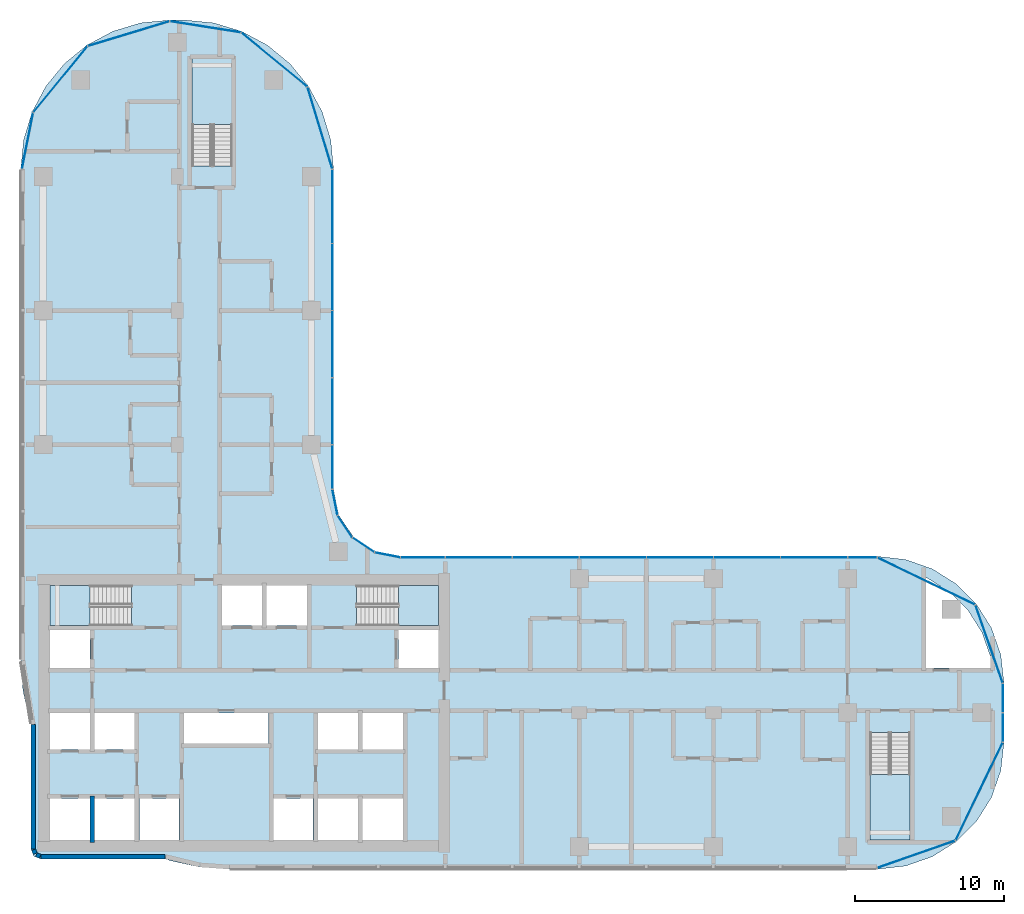
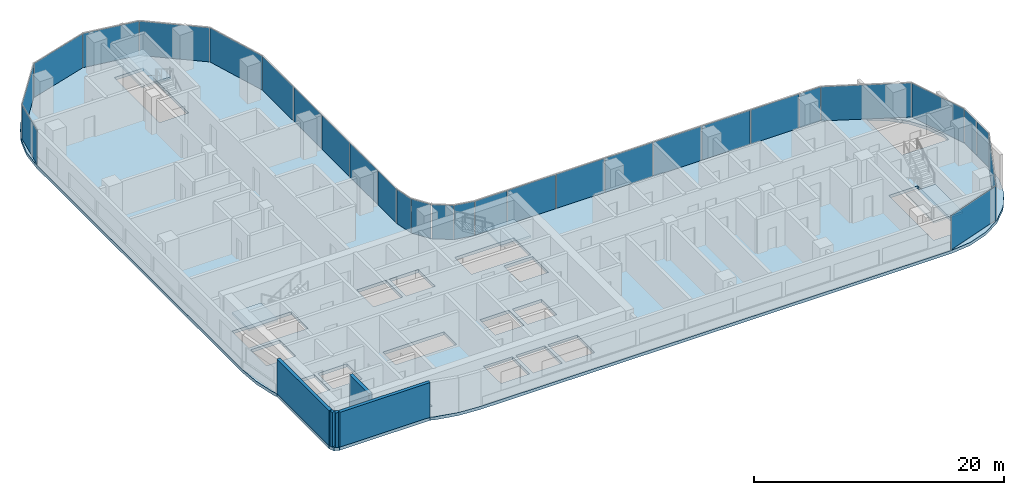
# One storey, part 8 of 22: 29 plates, 5 slabs, 5 walls, 11 elements without a shape of their own.
"""IFC4 building model written with IfcOpenShell, lengths in metres."""

from ifc_helpers import new_model, si_unit, direction, frame, frame_2d, origin, origin_2d, place, context, subcontext, project, spatial, polyline, rectangle, outline, extrude, material, layer, layer_set, type_object, element, aggregate, save


model = new_model("IFC4")

# Units and contexts
model_context = context("Model", 3, precision=1e-05, world=origin(), true_north=direction((0.0, 1.0)))
body_context = subcontext(model_context, "Body", "Model", "MODEL_VIEW")
ifc_project = project(units=[si_unit("LENGTHUNIT", "METRE"), si_unit("AREAUNIT", "SQUARE_METRE"), si_unit("VOLUMEUNIT", "CUBIC_METRE"), si_unit("PLANEANGLEUNIT", "RADIAN"), si_unit("MASSUNIT", "GRAM", prefix="KILO")], contexts=[model_context])

# Site, building, storey
site_placement = place(None, origin())
site = spatial("IfcSite", under=ifc_project, at=site_placement, CompositionType="ELEMENT")
building_placement = place(site_placement, origin())
building = spatial("IfcBuilding", under=site, at=building_placement, Name="Ogive Portal Towers", CompositionType="ELEMENT")
storey_placement = place(building_placement, frame((0.0, 0.0, 113.0)))
storey = spatial("IfcBuildingStorey", under=building, at=storey_placement, Name="L27", CompositionType="ELEMENT", Elevation=113.0)

# Curtain wall, plates
ifc_material_1 = material(Name="Glass, clear low-iron insulated glazing", Category="glass")
curtain_wall_type = type_object("IfcCurtainWallType", Name="CW FRONT RIBBON 4500", PredefinedType="NOTDEFINED", material=ifc_material_1)
curtain_wall_1_placement = place(storey_placement, origin())
curtain_wall_1 = element("IfcCurtainWall", 1, at=curtain_wall_1_placement, inside=storey, type_object=curtain_wall_type, Name="A:L27:f09:cw0", PredefinedType="NOTDEFINED")
ifc_layer_1 = layer(ifc_material_1, 0.028076171875)
ifc_layer_set_1 = layer_set([ifc_layer_1], Name="CW PANEL IGU 28")
plate_type = type_object("IfcPlateType", Name="CW PANEL IGU 28", PredefinedType="CURTAIN_PANEL", material=ifc_layer_set_1)
plate_1_placement = place(storey_placement, frame((95.919921875, 29.509033203125, 0.0), z_axis=(0.0, 0.0, 1.0), x_axis=(0.0, 1.0, 0.0)))
plate_1 = element("IfcPlate", 2, at=plate_1_placement, type_object=plate_type, Name="panel", PredefinedType="CURTAIN_PANEL", context=body_context, shape_type="SweptSolid", body=[
    extrude(rectangle(XDim=1.921630859375, YDim=0.028076171875, at=origin_2d()), origin(), (0.0, 0.0, 1.0), 3.340087890625),
])
plate_2_placement = place(storey_placement, frame((95.919921875, 31.4931640625, 0.0), z_axis=(0.0, 0.0, 1.0), x_axis=(0.0, 1.0, 0.0)))
plate_2 = element("IfcPlate", 3, at=plate_2_placement, type_object=plate_type, Name="panel", PredefinedType="CURTAIN_PANEL", context=body_context, shape_type="SweptSolid", body=[
    extrude(rectangle(XDim=1.926513671875, YDim=0.028076171875, at=origin_2d()), origin(), (0.0, 0.0, 1.0), 3.340087890625),
])
aggregate(curtain_wall_1, [plate_1, plate_2])

curtain_wall_2_placement = place(storey_placement, origin())
curtain_wall_2 = element("IfcCurtainWall", 4, at=curtain_wall_2_placement, inside=storey, type_object=curtain_wall_type, Name="A:L27:f12:cw0", PredefinedType="NOTDEFINED")
plate_3_placement = place(storey_placement, frame((86.490966796875, 40.919921875, 0.0), z_axis=(0.0, 0.0, 1.0), x_axis=(-1.0, 0.0, 0.0)))
plate_3 = element("IfcPlate", 5, at=plate_3_placement, type_object=plate_type, Name="panel", PredefinedType="CURTAIN_PANEL", context=body_context, shape_type="SweptSolid", body=[
    extrude(rectangle(XDim=1.921630859375, YDim=0.028076171875, at=origin_2d()), origin(), (0.0, 0.0, 1.0), 3.340087890625),
])
plate_4_placement = place(storey_placement, frame((83.25, 40.919921875, 0.0), z_axis=(0.0, 0.0, 1.0), x_axis=(-1.0, 0.0, 0.0)))
plate_4 = element("IfcPlate", 6, at=plate_4_placement, type_object=plate_type, Name="panel", PredefinedType="CURTAIN_PANEL", context=body_context, shape_type="SweptSolid", body=[
    extrude(rectangle(XDim=4.43994140625, YDim=0.028076171875, at=origin_2d()), origin(), (0.0, 0.0, 1.0), 3.340087890625),
])
plate_5_placement = place(storey_placement, frame((78.75, 40.919921875, 0.0), z_axis=(0.0, 0.0, 1.0), x_axis=(-1.0, 0.0, 0.0)))
plate_5 = element("IfcPlate", 7, at=plate_5_placement, type_object=plate_type, Name="panel", PredefinedType="CURTAIN_PANEL", context=body_context, shape_type="SweptSolid", body=[
    extrude(rectangle(XDim=4.43994140625, YDim=0.028076171875, at=origin_2d()), origin(), (0.0, 0.0, 1.0), 3.340087890625),
])
plate_6_placement = place(storey_placement, frame((74.25, 40.919921875, 0.0), z_axis=(0.0, 0.0, 1.0), x_axis=(-1.0, 0.0, 0.0)))
plate_6 = element("IfcPlate", 8, at=plate_6_placement, type_object=plate_type, Name="panel", PredefinedType="CURTAIN_PANEL", context=body_context, shape_type="SweptSolid", body=[
    extrude(rectangle(XDim=4.43994140625, YDim=0.028076171875, at=origin_2d()), origin(), (0.0, 0.0, 1.0), 3.340087890625),
])
plate_7_placement = place(storey_placement, frame((69.75, 40.919921875, 0.0), z_axis=(0.0, 0.0, 1.0), x_axis=(-1.0, 0.0, 0.0)))
plate_7 = element("IfcPlate", 9, at=plate_7_placement, type_object=plate_type, Name="panel", PredefinedType="CURTAIN_PANEL", context=body_context, shape_type="SweptSolid", body=[
    extrude(rectangle(XDim=4.43994140625, YDim=0.028076171875, at=origin_2d()), origin(), (0.0, 0.0, 1.0), 3.340087890625),
])
plate_8_placement = place(storey_placement, frame((65.25, 40.919921875, 0.0), z_axis=(0.0, 0.0, 1.0), x_axis=(-1.0, 0.0, 0.0)))
plate_8 = element("IfcPlate", 10, at=plate_8_placement, type_object=plate_type, Name="panel", PredefinedType="CURTAIN_PANEL", context=body_context, shape_type="SweptSolid", body=[
    extrude(rectangle(XDim=4.43994140625, YDim=0.028076171875, at=origin_2d()), origin(), (0.0, 0.0, 1.0), 3.340087890625),
])
plate_9_placement = place(storey_placement, frame((60.75, 40.919921875, 0.0), z_axis=(0.0, 0.0, 1.0), x_axis=(-1.0, 0.0, 0.0)))
plate_9 = element("IfcPlate", 11, at=plate_9_placement, type_object=plate_type, Name="panel", PredefinedType="CURTAIN_PANEL", context=body_context, shape_type="SweptSolid", body=[
    extrude(rectangle(XDim=4.43994140625, YDim=0.028076171875, at=origin_2d()), origin(), (0.0, 0.0, 1.0), 3.340087890625),
])
plate_10_placement = place(storey_placement, frame((56.99609375, 40.919921875, 0.0), z_axis=(0.0, 0.0, 1.0), x_axis=(-1.0, 0.0, 0.0)))
plate_10 = element("IfcPlate", 12, at=plate_10_placement, type_object=plate_type, Name="panel", PredefinedType="CURTAIN_PANEL", context=body_context, shape_type="SweptSolid", body=[
    extrude(rectangle(XDim=2.947998046875, YDim=0.028076171875, at=origin_2d()), origin(), (0.0, 0.0, 1.0), 3.340087890625),
])
aggregate(curtain_wall_2, [plate_3, plate_4, plate_5, plate_6, plate_7, plate_8, plate_9, plate_10])

curtain_wall_3_placement = place(storey_placement, origin())
curtain_wall_3 = element("IfcCurtainWall", 13, at=curtain_wall_3_placement, inside=storey, type_object=curtain_wall_type, Name="A:L27:f17:cw0", PredefinedType="NOTDEFINED")
plate_11_placement = place(storey_placement, frame((50.919921875, 46.99609375, 0.0), z_axis=(0.0, 0.0, 1.0), x_axis=(0.0, 1.0, 0.0)))
plate_11 = element("IfcPlate", 14, at=plate_11_placement, type_object=plate_type, Name="panel", PredefinedType="CURTAIN_PANEL", context=body_context, shape_type="SweptSolid", body=[
    extrude(rectangle(XDim=2.947998046875, YDim=0.028076171875, at=origin_2d()), origin(), (0.0, 0.0, 1.0), 3.340087890625),
])
plate_12_placement = place(storey_placement, frame((50.919921875, 50.75, 0.0), z_axis=(0.0, 0.0, 1.0), x_axis=(0.0, 1.0, 0.0)))
plate_12 = element("IfcPlate", 15, at=plate_12_placement, type_object=plate_type, Name="panel", PredefinedType="CURTAIN_PANEL", context=body_context, shape_type="SweptSolid", body=[
    extrude(rectangle(XDim=4.43994140625, YDim=0.028076171875, at=origin_2d()), origin(), (0.0, 0.0, 1.0), 3.340087890625),
])
plate_13_placement = place(storey_placement, frame((50.919921875, 55.25, 0.0), z_axis=(0.0, 0.0, 1.0), x_axis=(0.0, 1.0, 0.0)))
plate_13 = element("IfcPlate", 16, at=plate_13_placement, type_object=plate_type, Name="panel", PredefinedType="CURTAIN_PANEL", context=body_context, shape_type="SweptSolid", body=[
    extrude(rectangle(XDim=4.43994140625, YDim=0.028076171875, at=origin_2d()), origin(), (0.0, 0.0, 1.0), 3.340087890625),
])
plate_14_placement = place(storey_placement, frame((50.919921875, 59.75, 0.0), z_axis=(0.0, 0.0, 1.0), x_axis=(0.0, 1.0, 0.0)))
plate_14 = element("IfcPlate", 17, at=plate_14_placement, type_object=plate_type, Name="panel", PredefinedType="CURTAIN_PANEL", context=body_context, shape_type="SweptSolid", body=[
    extrude(rectangle(XDim=4.43994140625, YDim=0.028076171875, at=origin_2d()), origin(), (0.0, 0.0, 1.0), 3.340087890625),
])
plate_15_placement = place(storey_placement, frame((50.919921875, 64.494140625, 0.0), z_axis=(0.0, 0.0, 1.0), x_axis=(0.0, 1.0, 0.0)))
plate_15 = element("IfcPlate", 18, at=plate_15_placement, type_object=plate_type, Name="panel", PredefinedType="CURTAIN_PANEL", context=body_context, shape_type="SweptSolid", body=[
    extrude(rectangle(XDim=4.92822265625, YDim=0.028076171875, at=origin_2d()), origin(), (0.0, 0.0, 1.0), 3.340087890625),
])
aggregate(curtain_wall_3, [plate_11, plate_12, plate_13, plate_14, plate_15])

curtain_wall_4_placement = place(storey_placement, origin())
curtain_wall_4 = element("IfcCurtainWall", 19, at=curtain_wall_4_placement, inside=storey, type_object=curtain_wall_type, Name="A:L27:f07:cwa", PredefinedType="NOTDEFINED")
plate_16_placement = place(storey_placement, frame((90.1142578125, 20.99951171875, 0.0), z_axis=(0.0, 0.0, 1.0), x_axis=(0.943883330307, 0.33027906196, 0.0)))
plate_16 = element("IfcPlate", 20, at=plate_16_placement, type_object=plate_type, Name="panel", PredefinedType="CURTAIN_PANEL", context=body_context, shape_type="SweptSolid", body=[
    extrude(rectangle(XDim=5.508056640625, YDim=0.028076171875, at=origin_2d()), origin(), (0.0, 0.0, 1.0), 3.340087890625),
])
plate_17_placement = place(storey_placement, frame((94.3310546875, 25.21875, 0.0), z_axis=(0.0, 0.0, 1.0), x_axis=(0.433883739113, 0.900968867905, 0.0)))
plate_17 = element("IfcPlate", 21, at=plate_17_placement, type_object=plate_type, Name="panel", PredefinedType="CURTAIN_PANEL", context=body_context, shape_type="SweptSolid", body=[
    extrude(rectangle(XDim=7.2646484375, YDim=0.028076171875, at=origin_2d()), origin(), (0.0, 0.0, 1.0), 3.340087890625),
])
aggregate(curtain_wall_4, [plate_16, plate_17])

curtain_wall_5_placement = place(storey_placement, origin())
curtain_wall_5 = element("IfcCurtainWall", 22, at=curtain_wall_5_placement, inside=storey, type_object=curtain_wall_type, Name="A:L27:f10:cwa", PredefinedType="NOTDEFINED")
plate_18_placement = place(storey_placement, frame((95.00048828125, 35.1142578125, 0.0), z_axis=(0.0, 0.0, 1.0), x_axis=(-0.33027906196, 0.943883330307, 0.0)))
plate_18 = element("IfcPlate", 23, at=plate_18_placement, type_object=plate_type, Name="panel", PredefinedType="CURTAIN_PANEL", context=body_context, shape_type="SweptSolid", body=[
    extrude(rectangle(XDim=5.508056640625, YDim=0.028076171875, at=origin_2d()), origin(), (0.0, 0.0, 1.0), 3.340087890625),
])
plate_19_placement = place(storey_placement, frame((90.78125, 39.3310546875, 0.0), z_axis=(0.0, 0.0, 1.0), x_axis=(-0.900968867905, 0.433883739113, 0.0)))
plate_19 = element("IfcPlate", 24, at=plate_19_placement, type_object=plate_type, Name="panel", PredefinedType="CURTAIN_PANEL", context=body_context, shape_type="SweptSolid", body=[
    extrude(rectangle(XDim=7.2646484375, YDim=0.028076171875, at=origin_2d()), origin(), (0.0, 0.0, 1.0), 3.340087890625),
])
aggregate(curtain_wall_5, [plate_18, plate_19])

curtain_wall_6_placement = place(storey_placement, origin())
curtain_wall_6 = element("IfcCurtainWall", 25, at=curtain_wall_6_placement, inside=storey, type_object=curtain_wall_type, Name="A:L27:f13:cwa", PredefinedType="NOTDEFINED")
plate_20_placement = place(storey_placement, frame((54.619384765625, 41.093505859375, 0.0), z_axis=(0.0, 0.0, 1.0), x_axis=(-0.980785280403, 0.195090322016, 0.0)))
plate_20 = element("IfcPlate", 26, at=plate_20_placement, type_object=plate_type, Name="panel", PredefinedType="CURTAIN_PANEL", context=body_context, shape_type="SweptSolid", body=[
    extrude(rectangle(XDim=1.7197265625, YDim=0.028076171875, at=origin_2d()), origin(), (0.0, 0.0, 1.0), 3.340087890625),
])
plate_21_placement = place(storey_placement, frame((53.00341796875, 41.763671875, 0.0), z_axis=(0.0, 0.0, 1.0), x_axis=(-0.831469612303, 0.55557023302, 0.0)))
plate_21 = element("IfcPlate", 27, at=plate_21_placement, type_object=plate_type, Name="panel", PredefinedType="CURTAIN_PANEL", context=body_context, shape_type="SweptSolid", body=[
    extrude(rectangle(XDim=1.7275390625, YDim=0.028076171875, at=origin_2d()), origin(), (0.0, 0.0, 1.0), 3.340087890625),
])
plate_22_placement = place(storey_placement, frame((51.763671875, 43.00341796875, 0.0), z_axis=(0.0, 0.0, 1.0), x_axis=(-0.55557023302, 0.831469612303, 0.0)))
plate_22 = element("IfcPlate", 28, at=plate_22_placement, type_object=plate_type, Name="panel", PredefinedType="CURTAIN_PANEL", context=body_context, shape_type="SweptSolid", body=[
    extrude(rectangle(XDim=1.7275390625, YDim=0.028076171875, at=origin_2d()), origin(), (0.0, 0.0, 1.0), 3.340087890625),
])
plate_23_placement = place(storey_placement, frame((51.093505859375, 44.619384765625, 0.0), z_axis=(0.0, 0.0, 1.0), x_axis=(-0.195090322016, 0.980785280403, 0.0)))
plate_23 = element("IfcPlate", 29, at=plate_23_placement, type_object=plate_type, Name="panel", PredefinedType="CURTAIN_PANEL", context=body_context, shape_type="SweptSolid", body=[
    extrude(rectangle(XDim=1.7197265625, YDim=0.028076171875, at=origin_2d()), origin(), (0.0, 0.0, 1.0), 3.340087890625),
])
aggregate(curtain_wall_6, [plate_20, plate_21, plate_22, plate_23])

curtain_wall_7_placement = place(storey_placement, origin())
curtain_wall_7 = element("IfcCurtainWall", 30, at=curtain_wall_7_placement, inside=storey, type_object=curtain_wall_type, Name="A:L27:f18:cwa", PredefinedType="NOTDEFINED")
plate_24_placement = place(storey_placement, frame((50.08251953125, 69.748779296875, 0.0), z_axis=(0.0, 0.0, 1.0), x_axis=(-0.290284677254, 0.956940335732, 0.0)))
plate_24 = element("IfcPlate", 31, at=plate_24_placement, type_object=plate_type, Name="panel", PredefinedType="CURTAIN_PANEL", context=body_context, shape_type="SweptSolid", body=[
    extrude(rectangle(XDim=5.70947265625, YDim=0.028076171875, at=origin_2d()), origin(), (0.0, 0.0, 1.0), 3.340087890625),
])
plate_25_placement = place(storey_placement, frame((47.01904296875, 74.336181640625, 0.0), z_axis=(0.0, 0.0, 1.0), x_axis=(-0.773010453363, 0.634393284164, 0.0)))
plate_25 = element("IfcPlate", 32, at=plate_25_placement, type_object=plate_type, Name="panel", PredefinedType="CURTAIN_PANEL", context=body_context, shape_type="SweptSolid", body=[
    extrude(rectangle(XDim=5.69970703125, YDim=0.028076171875, at=origin_2d()), origin(), (0.0, 0.0, 1.0), 3.340087890625),
])
plate_26_placement = place(storey_placement, frame((42.399169921875, 76.54052734375, 0.0), z_axis=(0.0, 0.0, 1.0), x_axis=(-0.987792174992, 0.155777466355, 0.0)))
plate_26 = element("IfcPlate", 33, at=plate_26_placement, type_object=plate_type, Name="panel", PredefinedType="CURTAIN_PANEL", context=body_context, shape_type="SweptSolid", body=[
    extrude(rectangle(XDim=4.786376953125, YDim=0.028076171875, at=origin_2d()), origin(), (0.0, 0.0, 1.0), 3.340087890625),
])
plate_27_placement = place(storey_placement, frame((37.248291015625, 76.08154296875, 0.0), z_axis=(0.0, 0.0, 1.0), x_axis=(-0.956940335732, -0.290284677254, 0.0)))
plate_27 = element("IfcPlate", 34, at=plate_27_placement, type_object=plate_type, Name="panel", PredefinedType="CURTAIN_PANEL", context=body_context, shape_type="SweptSolid", body=[
    extrude(rectangle(XDim=5.703125, YDim=0.028076171875, at=origin_2d()), origin(), (0.0, 0.0, 1.0), 3.340087890625),
])
plate_28_placement = place(storey_placement, frame((32.663330078125, 73.018310546875, 0.0), z_axis=(0.0, 0.0, 1.0), x_axis=(-0.634393284164, -0.773010453363, 0.0)))
plate_28 = element("IfcPlate", 35, at=plate_28_placement, type_object=plate_type, Name="panel", PredefinedType="CURTAIN_PANEL", context=body_context, shape_type="SweptSolid", body=[
    extrude(rectangle(XDim=5.701416015625, YDim=0.028076171875, at=origin_2d()), origin(), (0.0, 0.0, 1.0), 3.340087890625),
])
plate_29_placement = place(storey_placement, frame((30.457763671875, 68.891845703125, 0.0), z_axis=(0.0, 0.0, 1.0), x_axis=(-0.195090322016, -0.980785280403, 0.0)))
plate_29 = element("IfcPlate", 36, at=plate_29_placement, type_object=plate_type, Name="panel", PredefinedType="CURTAIN_PANEL", context=body_context, shape_type="SweptSolid", body=[
    extrude(rectangle(XDim=3.81396484375, YDim=0.028076171875, at=origin_2d()), origin(), (0.0, 0.0, 1.0), 3.340087890625),
])
aggregate(curtain_wall_7, [plate_24, plate_25, plate_26, plate_27, plate_28, plate_29])

# Stair, slab
ifc_material_2 = material(Name="Concrete C40/50", Category="concrete")
stair_type = type_object("IfcStairType", Name="INT-STAIR", PredefinedType="HALF_TURN_STAIR", material=ifc_material_2)
stair_1_placement = place(storey_placement, origin())
stair_1 = element("IfcStair", 37, at=stair_1_placement, inside=storey, type_object=stair_type, Name="L27 Exit Stair ST-A1", PredefinedType="HALF_TURN_STAIR")
ifc_layer_2 = layer(ifc_material_2, 0.199951171875)
ifc_layer_set_2 = layer_set([ifc_layer_2], Name="INT-LANDING")
slab_type_1 = type_object("IfcSlabType", Name="INT-LANDING", PredefinedType="LANDING", material=ifc_layer_set_2)
slab_1_placement = place(storey_placement, frame((0.0, 0.0, 1.64990234375)))
slab_1 = element("IfcSlab", 38, at=slab_1_placement, type_object=slab_type_1, Name="ST-A1 landing 1", PredefinedType="LANDING", context=body_context, shape_type="SweptSolid", body=[
    extrude(outline(polyline([(34.64990234375, 39.050048828125), (31.949951171875, 39.050048828125), (31.949951171875, 36.35009765625), (34.64990234375, 36.35009765625), (34.64990234375, 39.050048828125)])), origin(), (0.0, 0.0, 1.0), 0.2001953125),
])
aggregate(stair_1, [slab_1])

stair_2_placement = place(storey_placement, origin())
stair_2 = element("IfcStair", 39, at=stair_2_placement, inside=storey, type_object=stair_type, Name="L27 Exit Stair ST-A2", PredefinedType="HALF_TURN_STAIR")
slab_2_placement = place(storey_placement, frame((0.0, 0.0, 1.64990234375)))
slab_2 = element("IfcSlab", 40, at=slab_2_placement, type_object=slab_type_1, Name="ST-A2 landing 1", PredefinedType="LANDING", context=body_context, shape_type="SweptSolid", body=[
    extrude(outline(polyline([(55.35009765625, 36.35009765625), (58.050048828125, 36.35009765625), (58.050048828125, 39.050048828125), (55.35009765625, 39.050048828125), (55.35009765625, 36.35009765625)])), origin(), (0.0, 0.0, 1.0), 0.2001953125),
])
aggregate(stair_2, [slab_2])

stair_3_placement = place(storey_placement, origin())
stair_3 = element("IfcStair", 41, at=stair_3_placement, inside=storey, type_object=stair_type, Name="L27 Exit Stair ST-A3", PredefinedType="HALF_TURN_STAIR")
slab_3_placement = place(storey_placement, frame((0.0, 0.0, 1.64990234375)))
slab_3 = element("IfcSlab", 42, at=slab_3_placement, type_object=slab_type_1, Name="ST-A3 landing 1", PredefinedType="LANDING", context=body_context, shape_type="SweptSolid", body=[
    extrude(outline(polyline([(44.199951171875, 70.0), (44.199951171875, 74.449951171875), (41.5, 74.449951171875), (41.5, 70.0), (44.199951171875, 70.0)])), origin(), (0.0, 0.0, 1.0), 0.2001953125),
])
aggregate(stair_3, [slab_3])

stair_4_placement = place(storey_placement, origin())
stair_4 = element("IfcStair", 43, at=stair_4_placement, inside=storey, type_object=stair_type, Name="L27 Exit Stair ST-A4", PredefinedType="HALF_TURN_STAIR")
slab_4_placement = place(storey_placement, frame((0.0, 0.0, 1.64990234375)))
slab_4 = element("IfcSlab", 44, at=slab_4_placement, type_object=slab_type_1, Name="ST-A4 landing 1", PredefinedType="LANDING", context=body_context, shape_type="SweptSolid", body=[
    extrude(outline(polyline([(87.0, 26.3701171875), (87.0, 21.949951171875), (89.699951171875, 21.949951171875), (89.699951171875, 26.3701171875), (87.0, 26.3701171875)])), origin(), (0.0, 0.0, 1.0), 0.2001953125),
])
aggregate(stair_4, [slab_4])

# Slab
ifc_material_3 = material(Name="Concrete C45/55", Category="concrete")
ifc_layer_3 = layer(ifc_material_3, 0.300048828125)
ifc_layer_set_3 = layer_set([ifc_layer_3], Name="PT FLAT PLATE 300")
slab_type_2 = type_object("IfcSlabType", Name="PT FLAT PLATE 300", PredefinedType="FLOOR", material=ifc_layer_set_3)
slab_5_placement = place(storey_placement, frame((0.0, 0.0, -0.300048828125)))
element("IfcSlab", 45, at=slab_5_placement, inside=storey, type_object=slab_type_2, Name="Floor slab L27", PredefinedType="FLOOR", context=body_context, shape_type="SweptSolid", body=[
    extrude(outline(polyline([(30.142578125, 32.007568359375), (30.567138671875, 30.0556640625), (30.699951171875, 29.699462890625), (30.699951171875, 21.300048828125), (30.875732421875, 20.875732421875), (31.300048828125, 20.699951171875), (39.699462890625, 20.699951171875), (40.0556640625, 20.567138671875), (42.007568359375, 20.142578125), (44.0, 20.0), (87.5, 20.0), (89.391357421875, 20.213134765625), (91.18798828125, 20.841796875), (92.7998046875, 21.8544921875), (94.1455078125, 23.2001953125), (95.158203125, 24.81201171875), (95.786865234375, 26.608642578125), (96.0, 28.5), (96.0, 32.5), (95.786865234375, 34.391357421875), (95.158203125, 36.18798828125), (94.1455078125, 37.7998046875), (92.7998046875, 39.1455078125), (91.18798828125, 40.158203125), (89.391357421875, 40.786865234375), (87.5, 41.0), (55.5, 41.0), (53.77783203125, 41.342529296875), (52.318115234375, 42.318115234375), (51.342529296875, 43.77783203125), (51.0, 45.5), (51.0, 67.0), (50.807861328125, 68.950927734375), (50.23876953125, 70.826904296875), (49.314697265625, 72.5556640625), (48.071044921875, 74.071044921875), (46.5556640625, 75.314697265625), (44.826904296875, 76.23876953125), (42.950927734375, 76.807861328125), (41.0, 77.0), (40.0, 77.0), (38.049072265625, 76.807861328125), (36.173095703125, 76.23876953125), (34.4443359375, 75.314697265625), (32.928955078125, 74.071044921875), (31.685302734375, 72.5556640625), (30.76123046875, 70.826904296875), (30.192138671875, 68.950927734375), (30.0, 67.0), (30.0, 34.0), (30.142578125, 32.007568359375)]), holes=[polyline([(34.64990234375, 24.75), (34.64990234375, 21.949951171875), (31.949951171875, 21.949951171875), (31.949951171875, 24.75), (34.64990234375, 24.75)]), polyline([(37.64990234375, 24.75), (37.64990234375, 21.949951171875), (34.949951171875, 21.949951171875), (34.949951171875, 24.75), (37.64990234375, 24.75)]), polyline([(40.6298828125, 21.969970703125), (37.969970703125, 21.969970703125), (37.969970703125, 24.72998046875), (40.6298828125, 24.72998046875), (40.6298828125, 21.969970703125)]), polyline([(34.64990234375, 28.050048828125), (31.949951171875, 28.050048828125), (31.949951171875, 30.5), (34.64990234375, 30.5), (34.64990234375, 28.050048828125)]), polyline([(37.64990234375, 28.050048828125), (34.949951171875, 28.050048828125), (34.949951171875, 30.5), (37.64990234375, 30.5), (37.64990234375, 28.050048828125)]), polyline([(46.6298828125, 28.447021484375), (40.969970703125, 28.447021484375), (40.969970703125, 30.47998046875), (46.6298828125, 30.47998046875), (46.6298828125, 28.447021484375)]), polyline([(34.64990234375, 36.050048828125), (34.64990234375, 33.5), (31.949951171875, 33.5), (31.949951171875, 36.050048828125), (34.64990234375, 36.050048828125)]), polyline([(31.951904296875, 39.048095703125), (37.447998046875, 39.048095703125), (37.447998046875, 36.35205078125), (31.951904296875, 36.35205078125), (31.951904296875, 39.048095703125)]), polyline([(46.199951171875, 36.35009765625), (43.5, 36.35009765625), (43.5, 39.050048828125), (46.199951171875, 39.050048828125), (46.199951171875, 36.35009765625)]), polyline([(44.197998046875, 67.201904296875), (41.501953125, 67.201904296875), (41.501953125, 74.447998046875), (44.197998046875, 74.447998046875), (44.197998046875, 67.201904296875)]), polyline([(49.6298828125, 21.969970703125), (46.969970703125, 21.969970703125), (46.969970703125, 24.72998046875), (49.6298828125, 24.72998046875), (49.6298828125, 21.969970703125)]), polyline([(52.64990234375, 24.75), (52.64990234375, 21.949951171875), (49.949951171875, 21.949951171875), (49.949951171875, 24.75), (52.64990234375, 24.75)]), polyline([(55.64990234375, 24.75), (55.64990234375, 21.949951171875), (52.949951171875, 21.949951171875), (52.949951171875, 24.75), (55.64990234375, 24.75)]), polyline([(87.001953125, 29.16796875), (89.697998046875, 29.16796875), (89.697998046875, 21.951904296875), (87.001953125, 21.951904296875), (87.001953125, 29.16796875)]), polyline([(52.64990234375, 28.050048828125), (49.949951171875, 28.050048828125), (49.949951171875, 30.5), (52.64990234375, 30.5), (52.64990234375, 28.050048828125)]), polyline([(55.64990234375, 30.5), (55.64990234375, 28.050048828125), (52.949951171875, 28.050048828125), (52.949951171875, 30.5), (55.64990234375, 30.5)]), polyline([(58.050048828125, 36.050048828125), (58.050048828125, 33.5), (55.35009765625, 33.5), (55.35009765625, 36.050048828125), (58.050048828125, 36.050048828125)]), polyline([(93.5947265625, 37.360595703125), (94.523681640625, 35.88232421875), (95.080078125, 34.292236328125), (95.080078125, 33.52001953125), (90.77001953125, 33.52001953125), (90.77001953125, 39.56298828125), (90.88232421875, 39.523681640625), (92.360595703125, 38.5947265625), (93.5947265625, 37.360595703125)]), polyline([(49.199951171875, 36.35009765625), (46.5, 36.35009765625), (46.5, 39.050048828125), (49.199951171875, 39.050048828125), (49.199951171875, 36.35009765625)]), polyline([(52.552001953125, 36.35205078125), (52.552001953125, 39.048095703125), (58.048095703125, 39.048095703125), (58.048095703125, 36.35205078125), (52.552001953125, 36.35205078125)])]), origin(), (0.0, 0.0, 1.0), 0.300048828125),
])

# Walls
ifc_material_4 = material(Name="Limestone cladding on lightweight block wall", Category="masonry")
ifc_layer_4 = layer(ifc_material_4, 0.300048828125)
ifc_layer_set_4 = layer_set([ifc_layer_4], Name="EXTERNAL WALL 300 STONE")
wall_type_1 = type_object("IfcWallType", Name="EXTERNAL WALL 300 STONE", PredefinedType="SOLIDWALL", material=ifc_layer_set_4)
wall_1_placement = place(storey_placement, frame((30.85009765625, 29.699462890625, 0.0), z_axis=(0.0, 0.0, 1.0), x_axis=(0.0, -1.0, 0.0)))
element("IfcWall", 46, at=wall_1_placement, inside=storey, type_object=wall_type_1, Name="A:L27:f00:r0:wall", PredefinedType="SOLIDWALL", context=body_context, shape_type="SweptSolid", body=[
    extrude(rectangle(XDim=8.33984375, YDim=0.300048828125, at=frame_2d((4.169921875, 0.0))), origin(), (0.0, 0.0, 1.0), 3.39990234375),
])
for number, where, z_axis, x_axis, name in (
    (47, (30.861328125, 21.30224609375, 0.0), (0.0, 0.0, 1.0), (0.38297812142, -0.923757413239, 0.0), "A:L27:f01:r0:wall"),
    (48, (31.0478515625, 20.966796875, 0.0), (0.0, 0.0, 1.0), (0.923757413239, -0.38297812142, 0.0), "A:L27:f02:r0:wall"),
):
    element("IfcWall", number, at=place(storey_placement, frame(where, z_axis=z_axis, x_axis=x_axis)), inside=storey, type_object=wall_type_1, Name=name, PredefinedType="SOLIDWALL", context=body_context, shape_type="SweptSolid", body=[
        extrude(rectangle(XDim=0.275390625, YDim=0.300048828125, at=frame_2d((0.1376953125, 0.0))), origin(), (0.0, 0.0, 1.0), 3.39990234375),
    ])
wall_2_placement = place(storey_placement, frame((31.359619140625, 20.85009765625, 0.0), z_axis=(0.0, 0.0, 1.0), x_axis=(1.0, 0.0, 0.0)))
element("IfcWall", 49, at=wall_2_placement, inside=storey, type_object=wall_type_1, Name="A:L27:f03:r0:wall", PredefinedType="SOLIDWALL", context=body_context, shape_type="SweptSolid", body=[
    extrude(rectangle(XDim=8.33984375, YDim=0.300048828125, at=frame_2d((4.169921875, 0.0))), origin(), (0.0, 0.0, 1.0), 3.39990234375),
])
ifc_layer_5 = layer(ifc_material_2, 0.300048828125)
ifc_layer_set_5 = layer_set([ifc_layer_5], Name="WT-SHAFT-300")
wall_type_2 = type_object("IfcWallType", Name="WT-SHAFT-300", PredefinedType="SOLIDWALL", material=ifc_layer_set_5)
wall_3_placement = place(storey_placement, frame((34.800048828125, 21.800048828125, 0.0), z_axis=(0.0, 0.0, 1.0), x_axis=(0.0, 1.0, 0.0)))
element("IfcWall", 50, at=wall_3_placement, inside=storey, type_object=wall_type_2, Name="Wall pw:006:L27", PredefinedType="SOLIDWALL", context=body_context, shape_type="SweptSolid", body=[
    extrude(rectangle(XDim=3.099853515625, YDim=0.300048828125, at=frame_2d((1.5498046875, 0.0))), origin(), (0.0, 0.0, 1.0), 3.39990234375),
])

save(model, "model.ifc")
